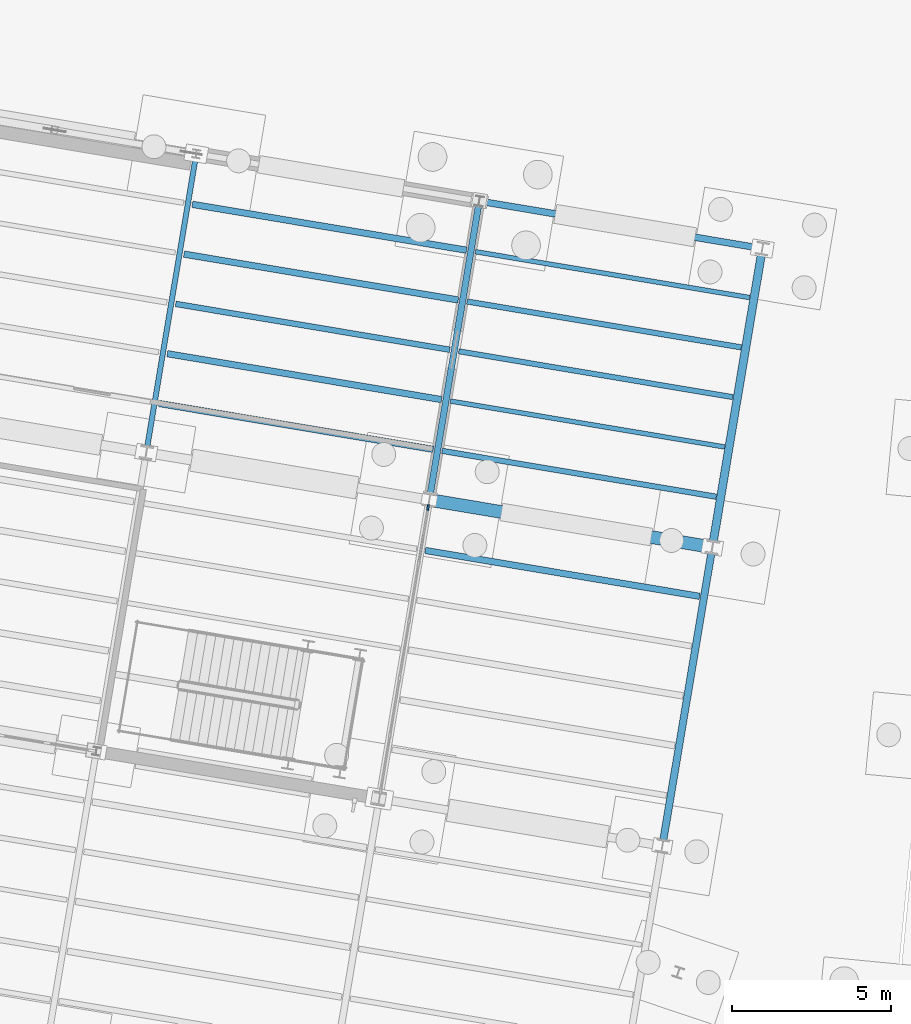
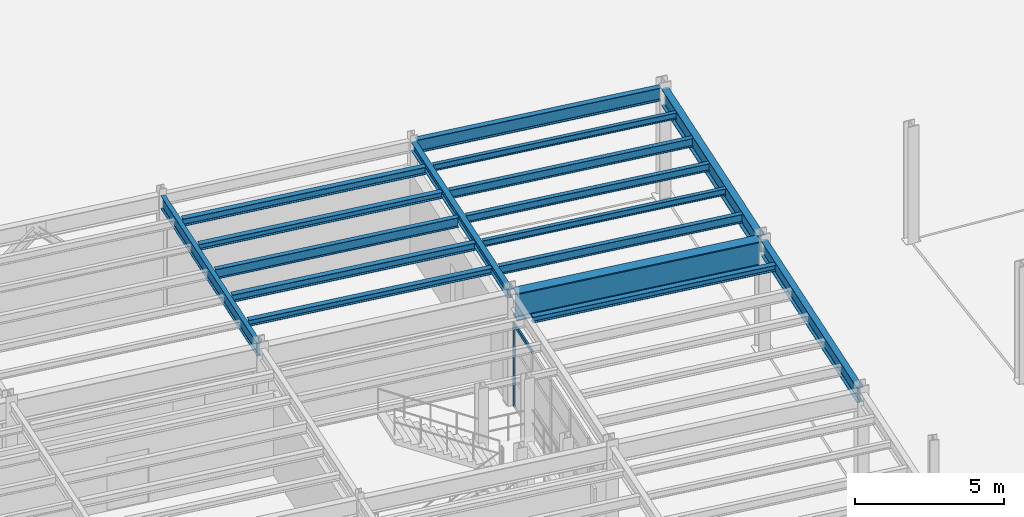
# One storey, part 46 of 108: 17 beams, 2 members, 1 element without a shape of its own.
"""IFC4 building model written with IfcOpenShell, lengths in metres."""

from ifc_helpers import new_model, si_unit, direction, frame, origin, origin_2d, place, context, subcontext, project, spatial, rectangle, i_section, extrude, material, layer, layer_set, material_profile, profile_set, type_object, element, aggregate, save


model = new_model("IFC4")

# Units and contexts
model_context = context("Model", 3, precision=1e-05, world=origin(), true_north=direction((0.0, 1.0)))
body_context = subcontext(model_context, "Body", "Model", "MODEL_VIEW")
ifc_project = project(units=[si_unit("LENGTHUNIT", "METRE"), si_unit("AREAUNIT", "SQUARE_METRE"), si_unit("VOLUMEUNIT", "CUBIC_METRE"), si_unit("PLANEANGLEUNIT", "RADIAN"), si_unit("MASSUNIT", "GRAM", prefix="KILO")], contexts=[model_context])

# Site, building, storey
site_placement = place(None, origin())
site = spatial("IfcSite", under=ifc_project, at=site_placement, CompositionType="ELEMENT")
building_placement = place(site_placement, origin())
building = spatial("IfcBuilding", under=site, at=building_placement, Name="Vireo Bluff Cable Station", CompositionType="ELEMENT")
storey_placement = place(building_placement, origin())
storey = spatial("IfcBuildingStorey", under=building, at=storey_placement, Name="L00", CompositionType="ELEMENT", Elevation=0.0)

# Beams
ifc_material_1 = material(Name="Steel ASTM A992 Gr. 50", Category="steel")
ifc_material_profile_1 = material_profile(ifc_material_1, i_section(OverallWidth=0.2041015625, OverallDepth=0.35009765625, WebThickness=0.008544921875, FlangeThickness=0.01513671875, FilletRadius=0.010009765625, at=origin_2d()), Name="W14X48")
ifc_profile_set_1 = profile_set([ifc_material_profile_1], Name="Steel ASTM A992 Gr. 50")
beam_type_1 = type_object("IfcBeamType", Name="BM-W14X48", PredefinedType="BEAM", material=ifc_profile_set_1)
beam_1_placement = place(storey_placement, frame((44.162109375, 84.416015625, 4.364990234375), z_axis=(0.165044536891, 0.986286115102, 0.0), x_axis=(-0.986286115102, 0.165044536891, 0.0)))
element("IfcBeam", 1, at=beam_1_placement, inside=storey, type_object=beam_type_1, Name="V4 L00 beam 800", PredefinedType="BEAM", context=body_context, shape_type="SweptSolid", body=[
    extrude(i_section(OverallWidth=0.2041015625, OverallDepth=0.35009765625, WebThickness=0.008544921875, FlangeThickness=0.01513671875, FilletRadius=0.010009765625, at=origin_2d()), origin(), (0.0, 0.0, 1.0), 9.260009765625),
])
ifc_material_profile_2 = material_profile(ifc_material_1, i_section(OverallWidth=0.166015625, OverallDepth=0.528076171875, WebThickness=0.009765625, FlangeThickness=0.013671875, FilletRadius=0.012939453125, at=origin_2d()), Name="W21X50")
ifc_profile_set_2 = profile_set([ifc_material_profile_2], Name="Steel ASTM A992 Gr. 50")
beam_type_2 = type_object("IfcBeamType", Name="BM-W21X50", PredefinedType="BEAM", material=ifc_profile_set_2)
beam_2_placement = place(storey_placement, frame((35.285400390625, 85.901611328125, 4.27587890625), z_axis=(0.165048828716, 0.986285396901, 0.0), x_axis=(-0.986285396901, 0.165048828716, 0.0)))
element("IfcBeam", 2, at=beam_2_placement, inside=storey, type_object=beam_type_2, Name="V4 L00 beam 797", PredefinedType="BEAM", context=body_context, shape_type="SweptSolid", body=[
    extrude(i_section(OverallWidth=0.166015625, OverallDepth=0.528076171875, WebThickness=0.009765625, FlangeThickness=0.013671875, FilletRadius=0.012939453125, at=origin_2d()), origin(), (0.0, 0.0, 1.0), 9.259765625),
])

# Curtain wall, members
ifc_material_2 = material(Name="Anodized Aluminium 6063-T6", Category="aluminium")
ifc_layer = layer(ifc_material_2, 0.159912109375, Name="Anodized Aluminium 6063-T6")
ifc_layer_set = layer_set([ifc_layer], Name="Anodized Aluminium 6063-T6")
curtain_wall_type = type_object("IfcCurtainWallType", Name="CW-STICK-1750", PredefinedType="USERDEFINED", material=ifc_layer_set)
curtain_wall_placement = place(storey_placement, origin())
curtain_wall = element("IfcCurtainWall", 3, at=curtain_wall_placement, inside=storey, type_object=curtain_wall_type, Name="V4 L00 east curtain wall CW-084", ObjectType="STICK CURTAIN WALL", PredefinedType="USERDEFINED")
ifc_material_profile_3 = material_profile(ifc_material_2, rectangle(XDim=0.06494140625, YDim=0.179931640625, at=origin_2d()), Name="ALU-M-65X180")
ifc_profile_set_3 = profile_set([ifc_material_profile_3], Name="Anodized Aluminium 6063-T6")
member_type_1 = type_object("IfcMemberType", Name="CWM-01", PredefinedType="MULLION", material=ifc_profile_set_3)
member_1_placement = place(storey_placement, frame((44.10205078125, 84.05810546875, 0.0), z_axis=(0.0, 0.0, 1.0), x_axis=(0.986285593486, -0.165047653974, 0.0)))
member_1 = element("IfcMember", 4, at=member_1_placement, type_object=member_type_1, Name="CW-084 mullion 1", PredefinedType="MULLION", context=body_context, shape_type="SweptSolid", body=[
    extrude(rectangle(XDim=0.06494140625, YDim=0.179931640625, at=origin_2d()), origin(), (0.0, 0.0, 1.0), 3.39990234375),
])
ifc_material_profile_4 = material_profile(ifc_material_2, rectangle(XDim=0.06494140625, YDim=0.139892578125, at=origin_2d()), Name="ALU-T-65X140")
ifc_profile_set_4 = profile_set([ifc_material_profile_4], Name="Anodized Aluminium 6063-T6")
member_type_2 = type_object("IfcMemberType", Name="CWT-01", PredefinedType="USERDEFINED", material=ifc_profile_set_4)
member_2_placement = place(storey_placement, frame((44.0966796875, 84.02587890625, 3.367431640625), z_axis=(-0.165089521576, -0.986278586336, 0.0), x_axis=(0.986278586336, -0.165089521576, 0.0)))
member_2 = element("IfcMember", 5, at=member_2_placement, type_object=member_type_2, Name="CW-084 transom 1.4", ObjectType="TRANSOM", PredefinedType="USERDEFINED", context=body_context, shape_type="SweptSolid", body=[
    extrude(rectangle(XDim=0.06494140625, YDim=0.139892578125, at=origin_2d()), origin(), (0.0, 0.0, 1.0), 1.719970703125),
])
aggregate(curtain_wall, [member_1, member_2])

# Beams
ifc_material_profile_5 = material_profile(ifc_material_1, i_section(OverallWidth=0.404052734375, OverallDepth=1.117919921875, WebThickness=0.026123046875, FlangeThickness=0.044921875, FilletRadius=0.02197265625, at=origin_2d()), Name="W44X335")
ifc_profile_set_5 = profile_set([ifc_material_profile_5], Name="Steel ASTM A992 Gr. 50")
beam_type_3 = type_object("IfcBeamType", Name="GIR-W44X335", PredefinedType="USERDEFINED", material=ifc_profile_set_5)
beam_3_placement = place(storey_placement, frame((44.260498046875, 84.27783203125, 3.98095703125), z_axis=(0.986285998922, -0.165045231163, 0.0), x_axis=(0.165045231163, 0.986285998922, 0.0)))
element("IfcBeam", 6, at=beam_3_placement, inside=storey, type_object=beam_type_3, Name="V4 L00 girder 780", ObjectType="GIRDER", PredefinedType="USERDEFINED", context=body_context, shape_type="SweptSolid", body=[
    extrude(i_section(OverallWidth=0.404052734375, OverallDepth=1.117919921875, WebThickness=0.026123046875, FlangeThickness=0.044921875, FilletRadius=0.02197265625, at=origin_2d()), origin(), (0.0, 0.0, 1.0), 8.760009765625),
])
ifc_material_profile_6 = material_profile(ifc_material_1, i_section(OverallWidth=0.14599609375, OverallDepth=0.259033203125, WebThickness=0.006103515625, FlangeThickness=0.009033203125, FilletRadius=0.009033203125, at=origin_2d()), Name="W10X22")
ifc_profile_set_6 = profile_set([ifc_material_profile_6], Name="Steel ASTM A992 Gr. 50")
beam_type_4 = type_object("IfcBeamType", Name="JST-W10X22", PredefinedType="JOIST", material=ifc_profile_set_6)
for number, where, z_axis, x_axis, name in (
    (7, (44.802978515625, 87.39794921875, 4.410400390625), (0.98628550168, -0.165048202583, 0.0), (0.165048202583, 0.98628550168, 0.0), "V4 L00 composite joist 868"),
    (8, (45.5869140625, 92.082763671875, 4.410400390625), (0.98628550168, -0.165048202583, 0.0), (0.165048202583, 0.98628550168, 0.0), "V4 L00 composite joist 871"),
):
    element("IfcBeam", number, at=place(storey_placement, frame(where, z_axis=z_axis, x_axis=x_axis)), inside=storey, type_object=beam_type_4, Name=name, PredefinedType="JOIST", context=body_context, shape_type="SweptSolid", body=[
        extrude(i_section(OverallWidth=0.14599609375, OverallDepth=0.259033203125, WebThickness=0.006103515625, FlangeThickness=0.009033203125, FilletRadius=0.009033203125, at=origin_2d()), origin(), (0.0, 0.0, 1.0), 8.719970703125),
    ])
ifc_material_profile_7 = material_profile(ifc_material_1, i_section(OverallWidth=0.201904296875, OverallDepth=0.2470703125, WebThickness=0.00732421875, FlangeThickness=0.010986328125, FilletRadius=0.009033203125, at=origin_2d()), Name="W10X33")
ifc_profile_set_7 = profile_set([ifc_material_profile_7], Name="Steel ASTM A992 Gr. 50")
beam_type_5 = type_object("IfcBeamType", Name="JST-W10X33", PredefinedType="JOIST", material=ifc_profile_set_7)
for number, where, z_axis, x_axis, name in (
    (9, (35.6650390625, 87.321533203125, 4.41650390625), (0.98628550168, -0.165048202583, 0.0), (0.165048202583, 0.98628550168, 0.0), "V4 L00 composite joist 852"),
    (10, (36.448974609375, 92.006591796875, 4.41650390625), (0.98628550168, -0.165048202583, 0.0), (0.165048202583, 0.98628550168, 0.0), "V4 L00 composite joist 855"),
    (11, (44.01904296875, 82.712890625, 4.41650390625), (0.98628550168, -0.165048202583, 0.0), (0.165048202583, 0.98628550168, 0.0), "V4 L00 composite joist 866"),
):
    element("IfcBeam", number, at=place(storey_placement, frame(where, z_axis=z_axis, x_axis=x_axis)), inside=storey, type_object=beam_type_5, Name=name, PredefinedType="JOIST", context=body_context, shape_type="SweptSolid", body=[
        extrude(i_section(OverallWidth=0.201904296875, OverallDepth=0.2470703125, WebThickness=0.00732421875, FlangeThickness=0.010986328125, FilletRadius=0.009033203125, at=origin_2d()), origin(), (0.0, 0.0, 1.0), 8.719970703125),
    ])
ifc_material_profile_8 = material_profile(ifc_material_1, i_section(OverallWidth=0.1650390625, OverallDepth=0.31005859375, WebThickness=0.005859375, FlangeThickness=0.009765625, FilletRadius=0.010009765625, at=origin_2d()), Name="W12X26")
ifc_profile_set_8 = profile_set([ifc_material_profile_8], Name="Steel ASTM A992 Gr. 50")
beam_type_6 = type_object("IfcBeamType", Name="JST-W12X26", PredefinedType="JOIST", material=ifc_profile_set_8)
beam_4_placement = place(storey_placement, frame((45.064208984375, 88.95947265625, 4.385009765625), z_axis=(0.98628550168, -0.165048202583, 0.0), x_axis=(0.165048202583, 0.98628550168, 0.0)))
element("IfcBeam", 12, at=beam_4_placement, inside=storey, type_object=beam_type_6, Name="V4 L00 composite joist 869", PredefinedType="JOIST", context=body_context, shape_type="SweptSolid", body=[
    extrude(i_section(OverallWidth=0.1650390625, OverallDepth=0.31005859375, WebThickness=0.005859375, FlangeThickness=0.009765625, FilletRadius=0.010009765625, at=origin_2d()), origin(), (0.0, 0.0, 1.0), 8.719970703125),
])
ifc_material_profile_9 = material_profile(ifc_material_1, i_section(OverallWidth=0.202880859375, OverallDepth=0.302978515625, WebThickness=0.007568359375, FlangeThickness=0.01318359375, FilletRadius=0.010009765625, at=origin_2d()), Name="W12X40")
ifc_profile_set_9 = profile_set([ifc_material_profile_9], Name="Steel ASTM A992 Gr. 50")
beam_type_7 = type_object("IfcBeamType", Name="JST-W12X40", PredefinedType="JOIST", material=ifc_profile_set_9)
for number, where, z_axis, x_axis, name in (
    (13, (35.92626953125, 88.88330078125, 4.388427734375), (0.986286264339, -0.165043645063, 0.0), (0.165043645063, 0.986286264339, 0.0), "V4 L00 composite joist 853"),
    (14, (36.710205078125, 93.568115234375, 4.388427734375), (0.986286264339, -0.165043645063, 0.0), (0.165043645063, 0.986286264339, 0.0), "V4 L00 composite joist 856"),
):
    element("IfcBeam", number, at=place(storey_placement, frame(where, z_axis=z_axis, x_axis=x_axis)), inside=storey, type_object=beam_type_7, Name=name, PredefinedType="JOIST", context=body_context, shape_type="SweptSolid", body=[
        extrude(i_section(OverallWidth=0.202880859375, OverallDepth=0.302978515625, WebThickness=0.007568359375, FlangeThickness=0.01318359375, FilletRadius=0.010009765625, at=origin_2d()), origin(), (0.0, 0.0, 1.0), 8.72021484375),
    ])
ifc_material_profile_10 = material_profile(ifc_material_1, i_section(OverallWidth=0.1708984375, OverallDepth=0.35107421875, WebThickness=0.0068359375, FlangeThickness=0.009765625, FilletRadius=0.010009765625, at=origin_2d()), Name="W14X30")
ifc_profile_set_10 = profile_set([ifc_material_profile_10], Name="Steel ASTM A992 Gr. 50")
beam_type_8 = type_object("IfcBeamType", Name="JST-W14X30", PredefinedType="JOIST", material=ifc_profile_set_10)
beam_5_placement = place(storey_placement, frame((44.54150390625, 85.836181640625, 4.364501953125), z_axis=(0.986286264339, -0.165043645063, 0.0), x_axis=(0.165043645063, 0.986286264339, 0.0)))
element("IfcBeam", 15, at=beam_5_placement, inside=storey, type_object=beam_type_8, Name="V4 L00 composite joist 867", PredefinedType="JOIST", context=body_context, shape_type="SweptSolid", body=[
    extrude(i_section(OverallWidth=0.1708984375, OverallDepth=0.35107421875, WebThickness=0.0068359375, FlangeThickness=0.009765625, FilletRadius=0.010009765625, at=origin_2d()), origin(), (0.0, 0.0, 1.0), 8.72021484375),
])
beam_6_placement = place(storey_placement, frame((45.32568359375, 90.52099609375, 4.364501953125), z_axis=(0.98628550168, -0.165048202583, 0.0), x_axis=(0.165048202583, 0.98628550168, 0.0)))
element("IfcBeam", 16, at=beam_6_placement, inside=storey, type_object=beam_type_8, Name="V4 L00 composite joist 870", PredefinedType="JOIST", context=body_context, shape_type="SweptSolid", body=[
    extrude(i_section(OverallWidth=0.1708984375, OverallDepth=0.35107421875, WebThickness=0.0068359375, FlangeThickness=0.009765625, FilletRadius=0.010009765625, at=origin_2d()), origin(), (0.0, 0.0, 1.0), 8.719970703125),
])
ifc_material_profile_11 = material_profile(ifc_material_1, i_section(OverallWidth=0.177978515625, OverallDepth=0.404052734375, WebThickness=0.007568359375, FlangeThickness=0.010986328125, FilletRadius=0.010009765625, at=origin_2d()), Name="W16X36")
ifc_profile_set_11 = profile_set([ifc_material_profile_11], Name="Steel ASTM A992 Gr. 50")
beam_type_9 = type_object("IfcBeamType", Name="JST-W16X36", PredefinedType="JOIST", material=ifc_profile_set_11)
beam_7_placement = place(storey_placement, frame((36.187744140625, 90.44482421875, 4.337890625), z_axis=(0.98628550168, -0.165048202583, 0.0), x_axis=(0.165048202583, 0.98628550168, 0.0)))
element("IfcBeam", 17, at=beam_7_placement, inside=storey, type_object=beam_type_9, Name="V4 L00 composite joist 854", PredefinedType="JOIST", context=body_context, shape_type="SweptSolid", body=[
    extrude(i_section(OverallWidth=0.177978515625, OverallDepth=0.404052734375, WebThickness=0.007568359375, FlangeThickness=0.010986328125, FilletRadius=0.010009765625, at=origin_2d()), origin(), (0.0, 0.0, 1.0), 8.719970703125),
])
ifc_material_profile_12 = material_profile(ifc_material_1, i_section(OverallWidth=0.2099609375, OverallDepth=0.535888671875, WebThickness=0.010986328125, FlangeThickness=0.017333984375, FilletRadius=0.012939453125, at=origin_2d()), Name="W21X68")
ifc_profile_set_12 = profile_set([ifc_material_profile_12], Name="Steel ASTM A992 Gr. 50")
beam_type_10 = type_object("IfcBeamType", Name="SPN-W21X68", PredefinedType="SPANDREL", material=ifc_profile_set_12)
beam_8_placement = place(storey_placement, frame((45.82861328125, 93.647705078125, 4.27197265625), z_axis=(0.986285239719, -0.16504976799, 0.0), x_axis=(0.16504976799, 0.986285239719, 0.0)))
element("IfcBeam", 18, at=beam_8_placement, inside=storey, type_object=beam_type_10, Name="V4 L00 spandrel 785", PredefinedType="SPANDREL", context=body_context, shape_type="SweptSolid", body=[
    extrude(i_section(OverallWidth=0.2099609375, OverallDepth=0.535888671875, WebThickness=0.010986328125, FlangeThickness=0.017333984375, FilletRadius=0.012939453125, at=origin_2d()), origin(), (0.0, 0.0, 1.0), 8.759765625),
])
ifc_material_profile_13 = material_profile(ifc_material_1, i_section(OverallWidth=0.22802734375, OverallDepth=0.60693359375, WebThickness=0.01123046875, FlangeThickness=0.017333984375, FilletRadius=0.012939453125, at=origin_2d()), Name="W24X76")
ifc_profile_set_13 = profile_set([ifc_material_profile_13], Name="Steel ASTM A992 Gr. 50")
beam_type_11 = type_object("IfcBeamType", Name="SPN-W24X76", PredefinedType="SPANDREL", material=ifc_profile_set_13)
beam_9_placement = place(storey_placement, frame((51.470703125, 73.56103515625, 4.236572265625), z_axis=(0.165048828716, 0.986285396901, 0.0), x_axis=(-0.986285396901, 0.165048828716, 0.0)))
element("IfcBeam", 19, at=beam_9_placement, inside=storey, type_object=beam_type_11, Name="V4 L00 spandrel 802", PredefinedType="SPANDREL", context=body_context, shape_type="SweptSolid", body=[
    extrude(i_section(OverallWidth=0.22802734375, OverallDepth=0.60693359375, WebThickness=0.01123046875, FlangeThickness=0.017333984375, FilletRadius=0.012939453125, at=origin_2d()), origin(), (0.0, 0.0, 1.0), 9.259765625),
])
ifc_material_profile_14 = material_profile(ifc_material_1, i_section(OverallWidth=0.257080078125, OverallDepth=0.693115234375, WebThickness=0.014404296875, FlangeThickness=0.023681640625, FilletRadius=0.014892578125, at=origin_2d()), Name="W27X114")
ifc_profile_set_14 = profile_set([ifc_material_profile_14], Name="Steel ASTM A992 Gr. 50")
beam_type_12 = type_object("IfcBeamType", Name="SPN-W27X114", PredefinedType="SPANDREL", material=ifc_profile_set_14)
beam_10_placement = place(storey_placement, frame((53.03857421875, 82.9306640625, 4.193603515625), z_axis=(0.165044536891, 0.986286115102, 0.0), x_axis=(-0.986286115102, 0.165044536891, 0.0)))
element("IfcBeam", 20, at=beam_10_placement, inside=storey, type_object=beam_type_12, Name="V4 L00 spandrel 803", PredefinedType="SPANDREL", context=body_context, shape_type="SweptSolid", body=[
    extrude(i_section(OverallWidth=0.257080078125, OverallDepth=0.693115234375, WebThickness=0.014404296875, FlangeThickness=0.023681640625, FilletRadius=0.014892578125, at=origin_2d()), origin(), (0.0, 0.0, 1.0), 9.260009765625),
])

save(model, "model.ifc")
